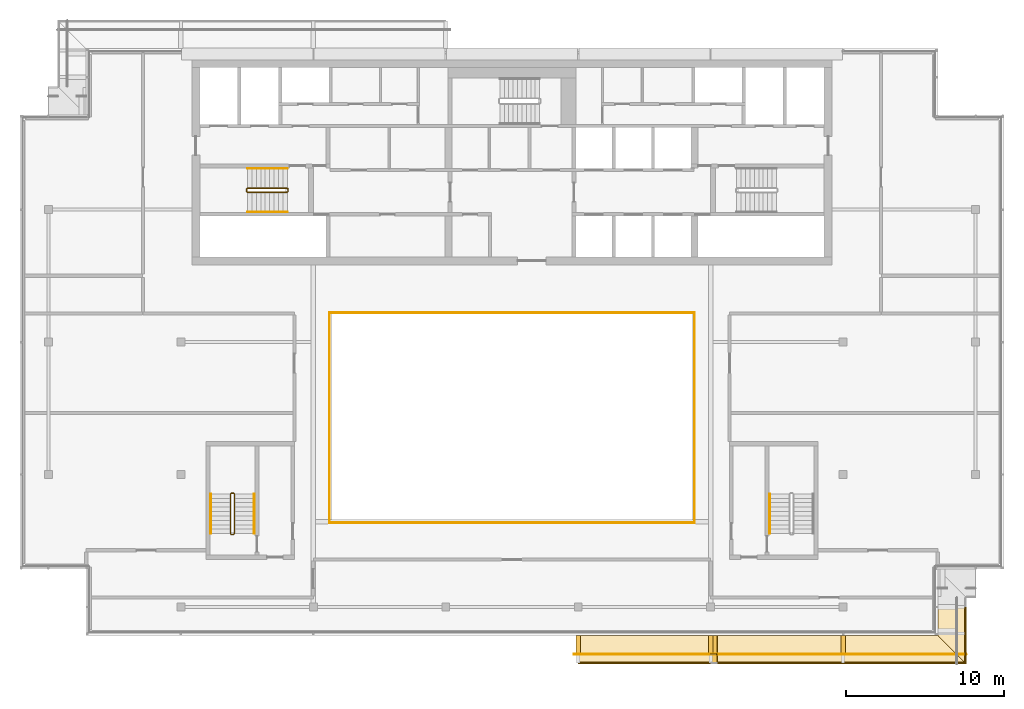
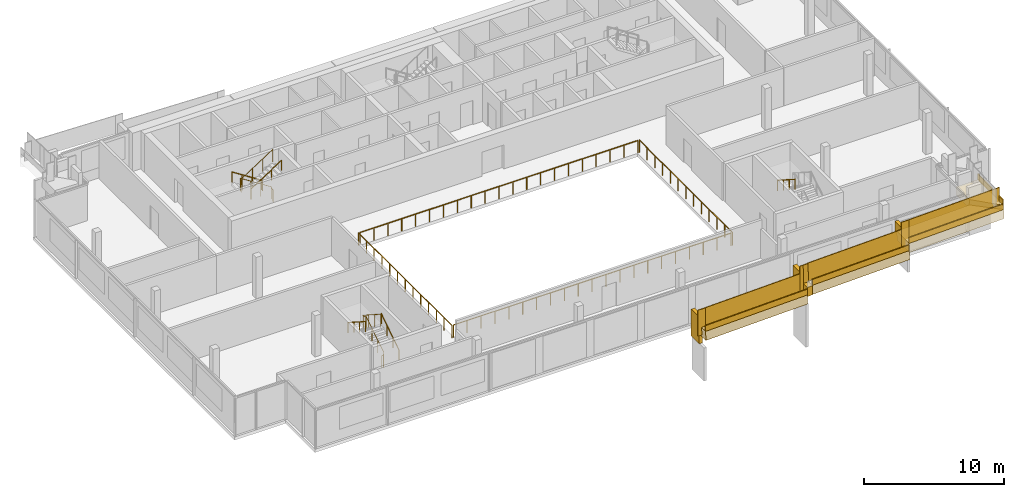
# One storey, part 17 of 21: 18 railings, 12 coverings.
"""IFC4 building model written with IfcOpenShell, lengths in metres."""

from ifc_helpers import new_model, si_unit, direction, frame, origin, origin_2d, place, context, subcontext, project, spatial, polyline, rectangle, circle, outline, extrude, material, layer, layer_set, type_object, element, save


model = new_model("IFC4")

# Units and contexts
model_context = context("Model", 3, precision=1e-05, world=origin(), true_north=direction((0.0, 1.0)))
body_context = subcontext(model_context, "Body", "Model", "MODEL_VIEW")
ifc_project = project(units=[si_unit("LENGTHUNIT", "METRE"), si_unit("AREAUNIT", "SQUARE_METRE"), si_unit("VOLUMEUNIT", "CUBIC_METRE"), si_unit("PLANEANGLEUNIT", "RADIAN"), si_unit("MASSUNIT", "GRAM", prefix="KILO")], contexts=[model_context])

# Site, building, storey
site_placement = place(None, origin())
site = spatial("IfcSite", under=ifc_project, at=site_placement, CompositionType="ELEMENT")
building_placement = place(site_placement, origin())
building = spatial("IfcBuilding", under=site, at=building_placement, Name="Saffron Gate Tower", CompositionType="ELEMENT")
storey_placement = place(building_placement, frame((0.0, 0.0, 299.550048828125)))
storey = spatial("IfcBuildingStorey", under=building, at=storey_placement, Name="L73", CompositionType="ELEMENT", Elevation=299.550048828125)

# Railings
ifc_material_1 = material(Name="Stainless steel and laminated glass", Category="steel")
railing_type_1 = type_object("IfcRailingType", Name="AG1 Atrium edge guard 1100", PredefinedType="GUARDRAIL", material=ifc_material_1)
railing_1_placement = place(storey_placement, frame((76.02001953125, 45.5400390625, 0.0)))
element("IfcRailing", 1, at=railing_1_placement, inside=storey, type_object=railing_type_1, Name="Guard E6-1", PredefinedType="GUARDRAIL", context=body_context, shape_type="SweptSolid", body=[
    extrude(circle(Radius=0.02392578125, at=origin_2d()), frame((0.0, 0.0, 1.076171875), z_axis=(0.0, 1.0, 0.0), x_axis=(-1.0, 0.0, 0.0)), (0.0, 0.0, 1.0), 13.320068359375),
    extrude(circle(Radius=0.02099609375, at=origin_2d()), origin(), (0.0, 0.0, 1.0), 1.052001953125),
    extrude(circle(Radius=0.02099609375, at=origin_2d()), frame((0.0, 1.110107421875, 0.0)), (0.0, 0.0, 1.0), 1.052001953125),
    extrude(circle(Radius=0.02099609375, at=origin_2d()), frame((0.0, 2.219970703125, 0.0)), (0.0, 0.0, 1.0), 1.052001953125),
    extrude(circle(Radius=0.02099609375, at=origin_2d()), frame((0.0, 3.330078125, 0.0)), (0.0, 0.0, 1.0), 1.052001953125),
    extrude(circle(Radius=0.02099609375, at=origin_2d()), frame((0.0, 4.43994140625, 0.0)), (0.0, 0.0, 1.0), 1.052001953125),
    extrude(circle(Radius=0.02099609375, at=origin_2d()), frame((0.0, 5.550048828125, 0.0)), (0.0, 0.0, 1.0), 1.052001953125),
    extrude(circle(Radius=0.02099609375, at=origin_2d()), frame((0.0, 6.66015625, 0.0)), (0.0, 0.0, 1.0), 1.052001953125),
    extrude(circle(Radius=0.02099609375, at=origin_2d()), frame((0.0, 7.77001953125, 0.0)), (0.0, 0.0, 1.0), 1.052001953125),
    extrude(circle(Radius=0.02099609375, at=origin_2d()), frame((0.0, 8.880126953125, 0.0)), (0.0, 0.0, 1.0), 1.052001953125),
    extrude(circle(Radius=0.02099609375, at=origin_2d()), frame((0.0, 9.989990234375, 0.0)), (0.0, 0.0, 1.0), 1.052001953125),
    extrude(circle(Radius=0.02099609375, at=origin_2d()), frame((0.0, 11.10009765625, 0.0)), (0.0, 0.0, 1.0), 1.052001953125),
    extrude(circle(Radius=0.02099609375, at=origin_2d()), frame((0.0, 12.2099609375, 0.0)), (0.0, 0.0, 1.0), 1.052001953125),
    extrude(circle(Radius=0.02099609375, at=origin_2d()), frame((0.0, 13.320068359375, 0.0)), (0.0, 0.0, 1.0), 1.052001953125),
])
railing_2_placement = place(storey_placement, frame((76.139892578125, 58.860107421875, 0.0)))
element("IfcRailing", 2, at=railing_2_placement, inside=storey, type_object=railing_type_1, Name="Guard E6-2", PredefinedType="GUARDRAIL", context=body_context, shape_type="SweptSolid", body=[
    extrude(circle(Radius=0.02392578125, at=origin_2d()), frame((0.0, 0.0, 1.076171875), z_axis=(1.0, 0.0, 0.0), x_axis=(0.0, 1.0, 0.0)), (0.0, 0.0, 1.0), 22.920166015625),
    extrude(circle(Radius=0.02099609375, at=origin_2d()), origin(), (0.0, 0.0, 1.0), 1.052001953125),
    extrude(circle(Radius=0.02099609375, at=origin_2d()), frame((1.14599609375, 0.0, 0.0)), (0.0, 0.0, 1.0), 1.052001953125),
    extrude(circle(Radius=0.02099609375, at=origin_2d()), frame((2.2919921875, 0.0, 0.0)), (0.0, 0.0, 1.0), 1.052001953125),
    extrude(circle(Radius=0.02099609375, at=origin_2d()), frame((3.43798828125, 0.0, 0.0)), (0.0, 0.0, 1.0), 1.052001953125),
    extrude(circle(Radius=0.02099609375, at=origin_2d()), frame((4.583984375, 0.0, 0.0)), (0.0, 0.0, 1.0), 1.052001953125),
    extrude(circle(Radius=0.02099609375, at=origin_2d()), frame((5.72998046875, 0.0, 0.0)), (0.0, 0.0, 1.0), 1.052001953125),
    extrude(circle(Radius=0.02099609375, at=origin_2d()), frame((6.8759765625, 0.0, 0.0)), (0.0, 0.0, 1.0), 1.052001953125),
    extrude(circle(Radius=0.02099609375, at=origin_2d()), frame((8.02197265625, 0.0, 0.0)), (0.0, 0.0, 1.0), 1.052001953125),
    extrude(circle(Radius=0.02099609375, at=origin_2d()), frame((9.16796875, 0.0, 0.0)), (0.0, 0.0, 1.0), 1.052001953125),
    extrude(circle(Radius=0.02099609375, at=origin_2d()), frame((10.31396484375, 0.0, 0.0)), (0.0, 0.0, 1.0), 1.052001953125),
    extrude(circle(Radius=0.02099609375, at=origin_2d()), frame((11.4599609375, 0.0, 0.0)), (0.0, 0.0, 1.0), 1.052001953125),
    extrude(circle(Radius=0.02099609375, at=origin_2d()), frame((12.606201171875, 0.0, 0.0)), (0.0, 0.0, 1.0), 1.052001953125),
    extrude(circle(Radius=0.02099609375, at=origin_2d()), frame((13.752197265625, 0.0, 0.0)), (0.0, 0.0, 1.0), 1.052001953125),
    extrude(circle(Radius=0.02099609375, at=origin_2d()), frame((14.898193359375, 0.0, 0.0)), (0.0, 0.0, 1.0), 1.052001953125),
    extrude(circle(Radius=0.02099609375, at=origin_2d()), frame((16.044189453125, 0.0, 0.0)), (0.0, 0.0, 1.0), 1.052001953125),
    extrude(circle(Radius=0.02099609375, at=origin_2d()), frame((17.190185546875, 0.0, 0.0)), (0.0, 0.0, 1.0), 1.052001953125),
    extrude(circle(Radius=0.02099609375, at=origin_2d()), frame((18.336181640625, 0.0, 0.0)), (0.0, 0.0, 1.0), 1.052001953125),
    extrude(circle(Radius=0.02099609375, at=origin_2d()), frame((19.482177734375, 0.0, 0.0)), (0.0, 0.0, 1.0), 1.052001953125),
    extrude(circle(Radius=0.02099609375, at=origin_2d()), frame((20.628173828125, 0.0, 0.0)), (0.0, 0.0, 1.0), 1.052001953125),
    extrude(circle(Radius=0.02099609375, at=origin_2d()), frame((21.774169921875, 0.0, 0.0)), (0.0, 0.0, 1.0), 1.052001953125),
    extrude(circle(Radius=0.02099609375, at=origin_2d()), frame((22.920166015625, 0.0, 0.0)), (0.0, 0.0, 1.0), 1.052001953125),
])
railing_3_placement = place(storey_placement, frame((99.179931640625, 58.860107421875, 0.0)))
element("IfcRailing", 3, at=railing_3_placement, inside=storey, type_object=railing_type_1, Name="Guard E6-3", PredefinedType="GUARDRAIL", context=body_context, shape_type="SweptSolid", body=[
    extrude(circle(Radius=0.02392578125, at=origin_2d()), frame((0.0, 0.0, 1.076171875), z_axis=(0.0, -1.0, 0.0), x_axis=(1.0, 0.0, 0.0)), (0.0, 0.0, 1.0), 13.320068359375),
    extrude(circle(Radius=0.02099609375, at=origin_2d()), origin(), (0.0, 0.0, 1.0), 1.052001953125),
    extrude(circle(Radius=0.02099609375, at=origin_2d()), frame((0.0, -1.110107421875, 0.0)), (0.0, 0.0, 1.0), 1.052001953125),
    extrude(circle(Radius=0.02099609375, at=origin_2d()), frame((0.0, -2.219970703125, 0.0)), (0.0, 0.0, 1.0), 1.052001953125),
    extrude(circle(Radius=0.02099609375, at=origin_2d()), frame((0.0, -3.330078125, 0.0)), (0.0, 0.0, 1.0), 1.052001953125),
    extrude(circle(Radius=0.02099609375, at=origin_2d()), frame((0.0, -4.43994140625, 0.0)), (0.0, 0.0, 1.0), 1.052001953125),
    extrude(circle(Radius=0.02099609375, at=origin_2d()), frame((0.0, -5.550048828125, 0.0)), (0.0, 0.0, 1.0), 1.052001953125),
    extrude(circle(Radius=0.02099609375, at=origin_2d()), frame((0.0, -6.66015625, 0.0)), (0.0, 0.0, 1.0), 1.052001953125),
    extrude(circle(Radius=0.02099609375, at=origin_2d()), frame((0.0, -7.77001953125, 0.0)), (0.0, 0.0, 1.0), 1.052001953125),
    extrude(circle(Radius=0.02099609375, at=origin_2d()), frame((0.0, -8.880126953125, 0.0)), (0.0, 0.0, 1.0), 1.052001953125),
    extrude(circle(Radius=0.02099609375, at=origin_2d()), frame((0.0, -9.989990234375, 0.0)), (0.0, 0.0, 1.0), 1.052001953125),
    extrude(circle(Radius=0.02099609375, at=origin_2d()), frame((0.0, -11.10009765625, 0.0)), (0.0, 0.0, 1.0), 1.052001953125),
    extrude(circle(Radius=0.02099609375, at=origin_2d()), frame((0.0, -12.2099609375, 0.0)), (0.0, 0.0, 1.0), 1.052001953125),
    extrude(circle(Radius=0.02099609375, at=origin_2d()), frame((0.0, -13.320068359375, 0.0)), (0.0, 0.0, 1.0), 1.052001953125),
])
railing_4_placement = place(storey_placement, frame((99.06005859375, 45.5400390625, 0.0)))
element("IfcRailing", 4, at=railing_4_placement, inside=storey, type_object=railing_type_1, Name="Guard E6-4", PredefinedType="GUARDRAIL", context=body_context, shape_type="SweptSolid", body=[
    extrude(circle(Radius=0.02392578125, at=origin_2d()), frame((0.0, 0.0, 1.076171875), z_axis=(-1.0, 0.0, 0.0), x_axis=(0.0, -1.0, 0.0)), (0.0, 0.0, 1.0), 22.920166015625),
    extrude(circle(Radius=0.02099609375, at=origin_2d()), origin(), (0.0, 0.0, 1.0), 1.052001953125),
    extrude(circle(Radius=0.02099609375, at=origin_2d()), frame((-1.14599609375, 0.0, 0.0)), (0.0, 0.0, 1.0), 1.052001953125),
    extrude(circle(Radius=0.02099609375, at=origin_2d()), frame((-2.2919921875, 0.0, 0.0)), (0.0, 0.0, 1.0), 1.052001953125),
    extrude(circle(Radius=0.02099609375, at=origin_2d()), frame((-3.43798828125, 0.0, 0.0)), (0.0, 0.0, 1.0), 1.052001953125),
    extrude(circle(Radius=0.02099609375, at=origin_2d()), frame((-4.583984375, 0.0, 0.0)), (0.0, 0.0, 1.0), 1.052001953125),
    extrude(circle(Radius=0.02099609375, at=origin_2d()), frame((-5.72998046875, 0.0, 0.0)), (0.0, 0.0, 1.0), 1.052001953125),
    extrude(circle(Radius=0.02099609375, at=origin_2d()), frame((-6.8759765625, 0.0, 0.0)), (0.0, 0.0, 1.0), 1.052001953125),
    extrude(circle(Radius=0.02099609375, at=origin_2d()), frame((-8.02197265625, 0.0, 0.0)), (0.0, 0.0, 1.0), 1.052001953125),
    extrude(circle(Radius=0.02099609375, at=origin_2d()), frame((-9.16796875, 0.0, 0.0)), (0.0, 0.0, 1.0), 1.052001953125),
    extrude(circle(Radius=0.02099609375, at=origin_2d()), frame((-10.31396484375, 0.0, 0.0)), (0.0, 0.0, 1.0), 1.052001953125),
    extrude(circle(Radius=0.02099609375, at=origin_2d()), frame((-11.4599609375, 0.0, 0.0)), (0.0, 0.0, 1.0), 1.052001953125),
    extrude(circle(Radius=0.02099609375, at=origin_2d()), frame((-12.606201171875, 0.0, 0.0)), (0.0, 0.0, 1.0), 1.052001953125),
    extrude(circle(Radius=0.02099609375, at=origin_2d()), frame((-13.752197265625, 0.0, 0.0)), (0.0, 0.0, 1.0), 1.052001953125),
    extrude(circle(Radius=0.02099609375, at=origin_2d()), frame((-14.898193359375, 0.0, 0.0)), (0.0, 0.0, 1.0), 1.052001953125),
    extrude(circle(Radius=0.02099609375, at=origin_2d()), frame((-16.044189453125, 0.0, 0.0)), (0.0, 0.0, 1.0), 1.052001953125),
    extrude(circle(Radius=0.02099609375, at=origin_2d()), frame((-17.190185546875, 0.0, 0.0)), (0.0, 0.0, 1.0), 1.052001953125),
    extrude(circle(Radius=0.02099609375, at=origin_2d()), frame((-18.336181640625, 0.0, 0.0)), (0.0, 0.0, 1.0), 1.052001953125),
    extrude(circle(Radius=0.02099609375, at=origin_2d()), frame((-19.482177734375, 0.0, 0.0)), (0.0, 0.0, 1.0), 1.052001953125),
    extrude(circle(Radius=0.02099609375, at=origin_2d()), frame((-20.628173828125, 0.0, 0.0)), (0.0, 0.0, 1.0), 1.052001953125),
    extrude(circle(Radius=0.02099609375, at=origin_2d()), frame((-21.774169921875, 0.0, 0.0)), (0.0, 0.0, 1.0), 1.052001953125),
    extrude(circle(Radius=0.02099609375, at=origin_2d()), frame((-22.920166015625, 0.0, 0.0)), (0.0, 0.0, 1.0), 1.052001953125),
])
railing_type_2 = type_object("IfcRailingType", Name="CR1 Stair guard 1100", PredefinedType="GUARDRAIL", material=ifc_material_1)
railing_5_placement = place(storey_placement, frame((73.39990234375, 66.550048828125, 0.0)))
element("IfcRailing", 5, at=railing_5_placement, inside=storey, type_object=railing_type_2, Name="L73 ST-A stair guard 1", PredefinedType="GUARDRAIL", context=body_context, shape_type="SweptSolid", body=[
    extrude(circle(Radius=0.02392578125, at=origin_2d()), frame((0.0, 0.0, 1.076171875), z_axis=(0.0, 1.0, 0.0), x_axis=(-1.0, 0.0, 0.0)), (0.0, 0.0, 1.0), 0.14990234375),
    extrude(circle(Radius=0.02392578125, at=origin_2d()), frame((0.0, 0.14990234375, 1.076171875), z_axis=(-0.257669022063, 0.258932105505, 0.930892496375), x_axis=(-0.708833529934, -0.705375805398, 0.0)), (0.0, 0.0, 1.0), 0.193359375),
    extrude(circle(Radius=0.02392578125, at=origin_2d()), frame((-0.0498046875, 0.199951171875, 1.255859375), z_axis=(-0.841162588446, 0.0, 0.540782303519), x_axis=(0.0, -1.0, 0.0)), (0.0, 0.0, 1.0), 2.995849609375),
    extrude(circle(Radius=0.02392578125, at=origin_2d()), frame((-2.56982421875, 0.199951171875, 2.8759765625), z_axis=(-0.707106781187, -0.707106781187, 0.0), x_axis=(0.707106781187, -0.707106781187, 0.0)), (0.0, 0.0, 1.0), 0.07080078125),
    extrude(circle(Radius=0.02392578125, at=origin_2d()), frame((-2.619873046875, 0.14990234375, 2.8759765625), z_axis=(0.0, -1.0, 0.0), x_axis=(1.0, 0.0, 0.0)), (0.0, 0.0, 1.0), 0.14990234375),
    extrude(circle(Radius=0.02392578125, at=origin_2d()), frame((-2.619873046875, 0.0, 2.8759765625), z_axis=(0.258847668887, -0.258847668887, 0.930588936439), x_axis=(0.707106781187, 0.707106781187, 0.0)), (0.0, 0.0, 1.0), 0.193359375),
    extrude(circle(Radius=0.02392578125, at=origin_2d()), frame((-2.56982421875, -0.050048828125, 3.05615234375), z_axis=(0.841199657755, 0.0, 0.540724639528), x_axis=(0.0, 1.0, 0.0)), (0.0, 0.0, 1.0), 2.995849609375),
    extrude(circle(Radius=0.02099609375, at=origin_2d()), origin(), (0.0, 0.0, 1.0), 1.052001953125),
    extrude(circle(Radius=0.02099609375, at=origin_2d()), frame((0.0, 0.14990234375, 0.0)), (0.0, 0.0, 1.0), 1.052001953125),
    extrude(circle(Radius=0.02099609375, at=origin_2d()), frame((-0.0498046875, 0.199951171875, 0.179931640625)), (0.0, 0.0, 1.0), 1.052001953125),
    extrude(circle(Radius=0.02099609375, at=origin_2d()), frame((-0.889892578125, 0.199951171875, 0.719970703125)), (0.0, 0.0, 1.0), 1.052001953125),
    extrude(circle(Radius=0.02099609375, at=origin_2d()), frame((-1.729736328125, 0.199951171875, 1.260009765625)), (0.0, 0.0, 1.0), 1.052001953125),
    extrude(circle(Radius=0.02099609375, at=origin_2d()), frame((-2.56982421875, 0.199951171875, 1.800048828125)), (0.0, 0.0, 1.0), 1.052001953125),
    extrude(circle(Radius=0.02099609375, at=origin_2d()), frame((-2.619873046875, 0.14990234375, 1.800048828125)), (0.0, 0.0, 1.0), 1.052001953125),
    extrude(circle(Radius=0.02099609375, at=origin_2d()), frame((-2.619873046875, 0.0, 1.800048828125)), (0.0, 0.0, 1.0), 1.052001953125),
    extrude(circle(Radius=0.02099609375, at=origin_2d()), frame((-2.56982421875, -0.050048828125, 1.97998046875)), (0.0, 0.0, 1.0), 1.052001953125),
    extrude(circle(Radius=0.02099609375, at=origin_2d()), frame((-1.729736328125, -0.050048828125, 2.52001953125)), (0.0, 0.0, 1.0), 1.052001953125),
    extrude(circle(Radius=0.02099609375, at=origin_2d()), frame((-0.889892578125, -0.050048828125, 3.059814453125)), (0.0, 0.0, 1.0), 1.052001953125),
    extrude(circle(Radius=0.02099609375, at=origin_2d()), frame((-0.0498046875, -0.050048828125, 3.599853515625)), (0.0, 0.0, 1.0), 1.052001953125),
])
railing_6_placement = place(storey_placement, frame((69.800048828125, 44.800048828125, 0.0)))
element("IfcRailing", 6, at=railing_6_placement, inside=storey, type_object=railing_type_2, Name="L73 ST-D stair guard 1", PredefinedType="GUARDRAIL", context=body_context, shape_type="SweptSolid", body=[
    extrude(circle(Radius=0.02392578125, at=origin_2d()), frame((0.0, 0.0, 1.076171875), z_axis=(1.0, 0.0, 0.0), x_axis=(0.0, 1.0, 0.0)), (0.0, 0.0, 1.0), 0.14990234375),
    extrude(circle(Radius=0.02392578125, at=origin_2d()), frame((0.14990234375, 0.0, 1.076171875), z_axis=(0.258847668887, 0.258847668887, 0.930588936439), x_axis=(-0.707106781187, 0.707106781187, 0.0)), (0.0, 0.0, 1.0), 0.193359375),
    extrude(circle(Radius=0.02392578125, at=origin_2d()), frame((0.199951171875, 0.050048828125, 1.255859375), z_axis=(0.0, 0.841162588446, 0.540782303519), x_axis=(-1.0, 0.0, 0.0)), (0.0, 0.0, 1.0), 2.995849609375),
    extrude(circle(Radius=0.02392578125, at=origin_2d()), frame((0.199951171875, 2.570068359375, 2.8759765625), z_axis=(-0.708833529934, 0.705375805398, 0.0), x_axis=(-0.705375805398, -0.708833529934, 0.0)), (0.0, 0.0, 1.0), 0.070556640625),
    extrude(circle(Radius=0.02392578125, at=origin_2d()), frame((0.14990234375, 2.619873046875, 2.8759765625), z_axis=(-1.0, 0.0, 0.0), x_axis=(0.0, -1.0, 0.0)), (0.0, 0.0, 1.0), 0.14990234375),
    extrude(circle(Radius=0.02392578125, at=origin_2d()), frame((0.0, 2.619873046875, 2.8759765625), z_axis=(-0.258932105505, -0.257669022063, 0.930892496375), x_axis=(0.705375805398, -0.708833529934, 0.0)), (0.0, 0.0, 1.0), 0.193359375),
    extrude(circle(Radius=0.02392578125, at=origin_2d()), frame((-0.050048828125, 2.570068359375, 3.05615234375), z_axis=(0.0, -0.841199657755, 0.540724639528), x_axis=(1.0, 0.0, 0.0)), (0.0, 0.0, 1.0), 2.995849609375),
    extrude(circle(Radius=0.02099609375, at=origin_2d()), origin(), (0.0, 0.0, 1.0), 1.052001953125),
    extrude(circle(Radius=0.02099609375, at=origin_2d()), frame((0.14990234375, 0.0, 0.0)), (0.0, 0.0, 1.0), 1.052001953125),
    extrude(circle(Radius=0.02099609375, at=origin_2d()), frame((0.199951171875, 0.050048828125, 0.179931640625)), (0.0, 0.0, 1.0), 1.052001953125),
    extrude(circle(Radius=0.02099609375, at=origin_2d()), frame((0.199951171875, 0.89013671875, 0.719970703125)), (0.0, 0.0, 1.0), 1.052001953125),
    extrude(circle(Radius=0.02099609375, at=origin_2d()), frame((0.199951171875, 1.72998046875, 1.260009765625)), (0.0, 0.0, 1.0), 1.052001953125),
    extrude(circle(Radius=0.02099609375, at=origin_2d()), frame((0.199951171875, 2.570068359375, 1.800048828125)), (0.0, 0.0, 1.0), 1.052001953125),
    extrude(circle(Radius=0.02099609375, at=origin_2d()), frame((0.14990234375, 2.619873046875, 1.800048828125)), (0.0, 0.0, 1.0), 1.052001953125),
    extrude(circle(Radius=0.02099609375, at=origin_2d()), frame((0.0, 2.619873046875, 1.800048828125)), (0.0, 0.0, 1.0), 1.052001953125),
    extrude(circle(Radius=0.02099609375, at=origin_2d()), frame((-0.050048828125, 2.570068359375, 1.97998046875)), (0.0, 0.0, 1.0), 1.052001953125),
    extrude(circle(Radius=0.02099609375, at=origin_2d()), frame((-0.050048828125, 1.72998046875, 2.52001953125)), (0.0, 0.0, 1.0), 1.052001953125),
    extrude(circle(Radius=0.02099609375, at=origin_2d()), frame((-0.050048828125, 0.89013671875, 3.059814453125)), (0.0, 0.0, 1.0), 1.052001953125),
    extrude(circle(Radius=0.02099609375, at=origin_2d()), frame((-0.050048828125, 0.050048828125, 3.599853515625)), (0.0, 0.0, 1.0), 1.052001953125),
])
ifc_material_2 = material(Name="Stainless steel", Category="steel")
railing_type_3 = type_object("IfcRailingType", Name="CR2 Stair handrail 900", PredefinedType="HANDRAIL", material=ifc_material_2)
railing_7_placement = place(storey_placement, frame((73.35009765625, 68.0, 0.179931640625)))
element("IfcRailing", 7, at=railing_7_placement, inside=storey, type_object=railing_type_3, Name="L73 ST-A stair handrail 1", PredefinedType="HANDRAIL", context=body_context, shape_type="SweptSolid", body=[
    extrude(circle(Radius=0.02392578125, at=origin_2d()), frame((0.0, 0.0, 0.8759765625), z_axis=(-0.841162588446, 0.0, 0.540782303519), x_axis=(0.0, -1.0, 0.0)), (0.0, 0.0, 1.0), 2.995849609375),
    extrude(circle(Radius=0.02099609375, at=origin_2d()), origin(), (0.0, 0.0, 1.0), 0.851806640625),
    extrude(circle(Radius=0.02099609375, at=origin_2d()), frame((-0.840087890625, 0.0, 0.5400390625)), (0.0, 0.0, 1.0), 0.851806640625),
    extrude(circle(Radius=0.02099609375, at=origin_2d()), frame((-1.679931640625, 0.0, 1.080078125)), (0.0, 0.0, 1.0), 0.851806640625),
    extrude(circle(Radius=0.02099609375, at=origin_2d()), frame((-2.52001953125, 0.0, 1.6201171875)), (0.0, 0.0, 1.0), 0.851806640625),
])
railing_8_placement = place(storey_placement, frame((70.830078125, 65.25, 1.97998046875)))
element("IfcRailing", 8, at=railing_8_placement, inside=storey, type_object=railing_type_3, Name="L73 ST-A stair handrail 2", PredefinedType="HANDRAIL", context=body_context, shape_type="SweptSolid", body=[
    extrude(circle(Radius=0.02392578125, at=origin_2d()), frame((0.0, 0.0, 0.8759765625), z_axis=(0.841199657755, 0.0, 0.540724639528), x_axis=(0.0, 1.0, 0.0)), (0.0, 0.0, 1.0), 2.995849609375),
    extrude(circle(Radius=0.02099609375, at=origin_2d()), origin(), (0.0, 0.0, 1.0), 0.851806640625),
    extrude(circle(Radius=0.02099609375, at=origin_2d()), frame((0.840087890625, 0.0, 0.5400390625)), (0.0, 0.0, 1.0), 0.851806640625),
    extrude(circle(Radius=0.02099609375, at=origin_2d()), frame((1.679931640625, 0.0, 1.079833984375)), (0.0, 0.0, 1.0), 0.851806640625),
    extrude(circle(Radius=0.02099609375, at=origin_2d()), frame((2.52001953125, 0.0, 1.619873046875)), (0.0, 0.0, 1.0), 0.851806640625),
])
railing_9_placement = place(storey_placement, frame((71.25, 44.85009765625, 0.179931640625)))
element("IfcRailing", 9, at=railing_9_placement, inside=storey, type_object=railing_type_3, Name="L73 ST-D stair handrail 1", PredefinedType="HANDRAIL", context=body_context, shape_type="SweptSolid", body=[
    extrude(circle(Radius=0.02392578125, at=origin_2d()), frame((0.0, 0.0, 0.8759765625), z_axis=(0.0, 0.841162588446, 0.540782303519), x_axis=(-1.0, 0.0, 0.0)), (0.0, 0.0, 1.0), 2.995849609375),
    extrude(circle(Radius=0.02099609375, at=origin_2d()), origin(), (0.0, 0.0, 1.0), 0.851806640625),
    extrude(circle(Radius=0.02099609375, at=origin_2d()), frame((0.0, 0.840087890625, 0.5400390625)), (0.0, 0.0, 1.0), 0.851806640625),
    extrude(circle(Radius=0.02099609375, at=origin_2d()), frame((0.0, 1.679931640625, 1.080078125)), (0.0, 0.0, 1.0), 0.851806640625),
    extrude(circle(Radius=0.02099609375, at=origin_2d()), frame((0.0, 2.52001953125, 1.6201171875)), (0.0, 0.0, 1.0), 0.851806640625),
])
for number, where, name in (
    (10, (68.5, 47.3701171875, 1.97998046875), "L73 ST-D stair handrail 2"),
    (11, (103.949951171875, 47.3701171875, 1.97998046875), "L73 ST-E stair handrail 2"),
):
    element("IfcRailing", number, at=place(storey_placement, frame(where)), inside=storey, type_object=railing_type_3, Name=name, PredefinedType="HANDRAIL", context=body_context, shape_type="SweptSolid", body=[
        extrude(circle(Radius=0.02392578125, at=origin_2d()), frame((0.0, 0.0, 0.8759765625), z_axis=(0.0, -0.841199657755, 0.540724639528), x_axis=(1.0, 0.0, 0.0)), (0.0, 0.0, 1.0), 2.995849609375),
        extrude(circle(Radius=0.02099609375, at=origin_2d()), origin(), (0.0, 0.0, 1.0), 0.851806640625),
        extrude(circle(Radius=0.02099609375, at=origin_2d()), frame((0.0, -0.840087890625, 0.5400390625)), (0.0, 0.0, 1.0), 0.851806640625),
        extrude(circle(Radius=0.02099609375, at=origin_2d()), frame((0.0, -1.679931640625, 1.079833984375)), (0.0, 0.0, 1.0), 0.851806640625),
        extrude(circle(Radius=0.02099609375, at=origin_2d()), frame((0.0, -2.52001953125, 1.619873046875)), (0.0, 0.0, 1.0), 0.851806640625),
    ])

# Coverings
ifc_material_3 = material(Name="Timber, thermally modified ash", Category="wood")
ifc_layer_1 = layer(ifc_material_3, 0.800048828125)
ifc_layer_set_1 = layer_set([ifc_layer_1], Name="LD1 ledge timber")
covering_type_1 = type_object("IfcCoveringType", Name="LD1 ledge timber", PredefinedType="CLADDING", material=ifc_layer_set_1)
covering_1_placement = place(storey_placement, frame((91.800048828125, 38.39990234375, 0.45849609375), z_axis=(-0.028791175352, 0.0, 0.999585448184), x_axis=(0.999585448184, 0.0, 0.028791175352)))
element("IfcCovering", 12, at=covering_1_placement, inside=storey, type_object=covering_type_1, Name="LEDGE", PredefinedType="CLADDING", context=body_context, shape_type="SweptSolid", body=[
    extrude(outline(polyline([(0.0, 0.0), (8.403385982666892, 0.0), (8.403385982666892, -1.7998046875), (0.0, -1.7998046875), (0.0, 0.0)])), origin(), (0.0, 0.0, -1.0), 0.800048828125),
])
covering_2_placement = place(storey_placement, frame((100.199951171875, 38.39990234375, 1.35498046875), z_axis=(-0.028664238881, 0.0, 0.999589096284), x_axis=(0.999589096284, 0.0, 0.028664238881)))
element("IfcCovering", 13, at=covering_2_placement, inside=storey, type_object=covering_type_1, Name="LEDGE", PredefinedType="CLADDING", context=body_context, shape_type="SweptSolid", body=[
    extrude(outline(polyline([(0.0, 0.0), (0.40031097364171886, 0.0), (0.40031097364171886, -1.7998046875), (0.0, -1.7998046875), (0.0, 0.0)])), origin(), (0.0, 0.0, -1.0), 0.800048828125),
])
covering_3_placement = place(storey_placement, frame((100.60009765625, 38.39990234375, 1.397705078125), z_axis=(-0.028796646555, 0.0, 0.999585290582), x_axis=(0.999585290582, 0.0, 0.028796646555)))
element("IfcCovering", 14, at=covering_3_placement, inside=storey, type_object=covering_type_1, Name="LEDGE", PredefinedType="CLADDING", context=body_context, shape_type="SweptSolid", body=[
    extrude(outline(polyline([(0.0, 0.0), (8.003319051788862, 0.0), (8.003319051788862, -1.7998046875), (0.0, -1.7998046875), (0.0, 0.0)])), origin(), (0.0, 0.0, -1.0), 0.800048828125),
])
covering_4_placement = place(storey_placement, frame((108.60009765625, 38.39990234375, 2.25146484375), z_axis=(-0.028789985935, -2.2222876e-05, 0.999585482195), x_axis=(0.999585482442, 1.48e-10, 0.028789985943)))
element("IfcCovering", 15, at=covering_4_placement, inside=storey, type_object=covering_type_1, Name="LEDGE", PredefinedType="CLADDING", context=body_context, shape_type="SweptSolid", body=[
    extrude(outline(polyline([(0.0, 0.0), (6.002489288708389, 0.0), (7.803038031992788, -1.799804689099891), (-2.6651392631661263e-10, -1.7998046870555775), (0.0, 0.0)])), origin(), (0.0, 0.0, -1.0), 0.800048828125),
])
covering_5_placement = place(storey_placement, frame((114.60009765625, 38.39990234375, 2.8916015625), z_axis=(-4.3893604e-05, -0.028833291474, 0.999584233257), x_axis=(1.926e-09, 0.99958423422, 0.028833291502)))
element("IfcCovering", 16, at=covering_5_placement, inside=storey, type_object=covering_type_1, Name="LEDGE", PredefinedType="CLADDING", context=body_context, shape_type="SweptSolid", body=[
    extrude(outline(polyline([(0.0, 0.0), (1.8007998168930421, 4.235164736271502e-22), (1.8007998203587168, -1.7998046857662044), (-1.8005487349298768, -1.799804696168494), (0.0, 0.0)])), origin(), (0.0, 0.0, -1.0), 0.800048828125),
])
ifc_layer_2 = layer(ifc_material_3, 0.080078125)
ifc_layer_set_2 = layer_set([ifc_layer_2], Name="LD2 ledge planter trough")
covering_type_2 = type_object("IfcCoveringType", Name="LD2 ledge planter trough", PredefinedType="CLADDING", material=ifc_layer_set_2)
covering_6_placement = place(storey_placement, frame((91.800048828125, 36.60009765625, 0.45849609375), z_axis=(0.0, -1.0, 0.0), x_axis=(0.999585448184, 0.0, 0.028791175352)))
element("IfcCovering", 17, at=covering_6_placement, inside=storey, type_object=covering_type_2, Name="LEDGE planter trough", PredefinedType="CLADDING", context=body_context, shape_type="SweptSolid", body=[
    extrude(outline(polyline([(0.0, 0.0), (8.403385982666892, 0.0), (8.417781570342743, 0.49979272409216496), (0.014395587675851172, 0.4997927240921649), (0.0, 0.0)])), origin(), (0.0, 0.0, -1.0), 0.080078125),
])
covering_7_placement = place(storey_placement, frame((100.60009765625, 36.60009765625, 1.397705078125), z_axis=(0.0, -1.0, 0.0), x_axis=(0.999585290582, 0.0, 0.028796646555)))
element("IfcCovering", 18, at=covering_7_placement, inside=storey, type_object=covering_type_2, Name="LEDGE planter trough", PredefinedType="CLADDING", context=body_context, shape_type="SweptSolid", body=[
    extrude(outline(polyline([(0.0, 0.0), (8.003319051788862, 0.0), (8.017717375066283, 0.4997926452908234), (0.014398323277421184, 0.49979264529082346), (0.0, 0.0)])), origin(), (0.0, 0.0, -1.0), 0.080078125),
])
covering_8_placement = place(storey_placement, frame((108.60009765625, 36.60009765625, 2.25146484375), z_axis=(0.0, -1.0, 0.0), x_axis=(0.999585630001, 0.0, 0.028784862264)))
element("IfcCovering", 19, at=covering_8_placement, inside=storey, type_object=covering_type_2, Name="LEDGE planter trough", PredefinedType="CLADDING", context=body_context, shape_type="SweptSolid", body=[
    extrude(outline(polyline([(0.0, 0.0), (7.80303803236181, 2.7755575615628914e-17), (7.817430463493663, 0.4997928150004909), (0.014392431131853373, 0.49979281500049083), (0.0, 0.0)])), origin(), (0.0, 0.0, -1.0), 0.080078125),
])
covering_9_placement = place(storey_placement, frame((116.39990234375, 36.60009765625, 2.83984375), z_axis=(1.0, 0.0, 0.0), x_axis=(0.0, 0.999584866472, 0.028811364412)))
element("IfcCovering", 20, at=covering_9_placement, inside=storey, type_object=covering_type_2, Name="LEDGE planter trough", PredefinedType="CLADDING", context=body_context, shape_type="SweptSolid", body=[
    extrude(outline(polyline([(0.0, 0.0), (3.601348556155073, 0.0), (3.6157542383609322, 0.49979243323622236), (0.01440568220585924, 0.49979243323622236), (0.0, 0.0)])), origin(), (0.0, 0.0, -1.0), 0.080078125),
])
ifc_layer_3 = layer(ifc_material_3, 0.300048828125)
ifc_layer_set_3 = layer_set([ifc_layer_3], Name="LD3 ledge riser fin")
covering_type_3 = type_object("IfcCoveringType", Name="LD3 ledge riser fin", PredefinedType="CLADDING", material=ifc_layer_set_3)
for number, where, z_axis, x_axis, name in (
    (21, (91.800048828125, 37.840087890625, -0.995849609375), (0.0, 0.0, 1.0), (1.0, 0.0, 0.0), "LEDGE riser fin"),
    (22, (100.199951171875, 37.840087890625, -0.099609375), (0.0, 0.0, 1.0), (1.0, 0.0, 0.0), "LEDGE riser fin"),
):
    element("IfcCovering", number, at=place(storey_placement, frame(where, z_axis=z_axis, x_axis=x_axis)), inside=storey, type_object=covering_type_3, Name=name, PredefinedType="CLADDING", context=body_context, shape_type="SweptSolid", body=[
        extrude(rectangle(XDim=0.300048828125, YDim=1.1201171875, at=origin_2d()), origin(), (0.0, 0.0, 1.0), 2.3544921875),
    ])
covering_10_placement = place(storey_placement, frame((108.60009765625, 37.840087890625, 0.828125), z_axis=(0.0, 0.0, 1.0), x_axis=(1.0, 0.0, 0.0)))
element("IfcCovering", 23, at=covering_10_placement, inside=storey, type_object=covering_type_3, Name="LEDGE riser fin", PredefinedType="CLADDING", context=body_context, shape_type="SweptSolid", body=[
    extrude(rectangle(XDim=0.300048828125, YDim=1.1201171875, at=origin_2d()), origin(), (0.0, 0.0, 1.0), 2.3232421875),
])

# Railings
railing_type_4 = type_object("IfcRailingType", Name="LG1 ledge balustrade", PredefinedType="BALUSTRADE", material=ifc_material_3)
railing_10_placement = place(storey_placement, frame((91.800048828125, 37.199951171875, 0.45849609375)))
element("IfcRailing", 24, at=railing_10_placement, inside=storey, type_object=railing_type_4, Name="LEDGE BALUSTRADE", PredefinedType="BALUSTRADE", context=body_context, shape_type="SweptSolid", body=[
    extrude(rectangle(XDim=0.06005859375, YDim=1.60009765625, at=origin_2d()), frame((0.0, 0.0, 0.800048828125), z_axis=(0.999585448184, 0.0, 0.028791175352), x_axis=(0.0, 1.0, 0.0)), (0.0, 0.0, 1.0), 8.4033203125),
])
railing_11_placement = place(storey_placement, frame((91.5, 37.199951171875, -0.19580078125)))
element("IfcRailing", 25, at=railing_11_placement, inside=storey, type_object=railing_type_4, Name="LEDGE BALUSTRADE", PredefinedType="BALUSTRADE", context=body_context, shape_type="SweptSolid", body=[
    extrude(rectangle(XDim=0.06005859375, YDim=2.25439453125, at=origin_2d()), frame((0.0, 0.0, 1.127197265625), z_axis=(1.0, 0.0, 0.0), x_axis=(0.0, 1.0, 0.0)), (0.0, 0.0, 1.0), 0.60009765625),
])
railing_12_placement = place(storey_placement, frame((100.199951171875, 37.199951171875, 1.35498046875)))
element("IfcRailing", 26, at=railing_12_placement, inside=storey, type_object=railing_type_4, Name="LEDGE BALUSTRADE", PredefinedType="BALUSTRADE", context=body_context, shape_type="SweptSolid", body=[
    extrude(rectangle(XDim=0.06005859375, YDim=1.60009765625, at=origin_2d()), frame((0.0, 0.0, 0.800048828125), z_axis=(0.999589096284, 0.0, 0.028664238881), x_axis=(0.0, 1.0, 0.0)), (0.0, 0.0, 1.0), 0.400390625),
])
railing_13_placement = place(storey_placement, frame((99.89990234375, 37.199951171875, 0.700439453125)))
element("IfcRailing", 27, at=railing_13_placement, inside=storey, type_object=railing_type_4, Name="LEDGE BALUSTRADE", PredefinedType="BALUSTRADE", context=body_context, shape_type="SweptSolid", body=[
    extrude(rectangle(XDim=0.06005859375, YDim=2.25439453125, at=origin_2d()), frame((0.0, 0.0, 1.127197265625), z_axis=(1.0, 0.0, 0.0), x_axis=(0.0, 1.0, 0.0)), (0.0, 0.0, 1.0), 0.60009765625),
])
railing_14_placement = place(storey_placement, frame((100.60009765625, 37.199951171875, 1.397705078125)))
element("IfcRailing", 28, at=railing_14_placement, inside=storey, type_object=railing_type_4, Name="LEDGE BALUSTRADE", PredefinedType="BALUSTRADE", context=body_context, shape_type="SweptSolid", body=[
    extrude(rectangle(XDim=0.06005859375, YDim=1.60009765625, at=origin_2d()), frame((0.0, 0.0, 0.800048828125), z_axis=(0.999585290582, 0.0, 0.028796646555), x_axis=(0.0, 1.0, 0.0)), (0.0, 0.0, 1.0), 8.00341796875),
])
railing_15_placement = place(storey_placement, frame((108.60009765625, 37.199951171875, 2.25146484375)))
element("IfcRailing", 29, at=railing_15_placement, inside=storey, type_object=railing_type_4, Name="LEDGE BALUSTRADE", PredefinedType="BALUSTRADE", context=body_context, shape_type="SweptSolid", body=[
    extrude(rectangle(XDim=0.06005859375, YDim=1.60009765625, at=origin_2d()), frame((0.0, 0.0, 0.800048828125), z_axis=(0.999585630001, 0.0, 0.028784862264), x_axis=(0.0, 1.0, 0.0)), (0.0, 0.0, 1.0), 7.802978515625),
])
railing_16_placement = place(storey_placement, frame((108.300048828125, 37.199951171875, 1.628173828125)))
element("IfcRailing", 30, at=railing_16_placement, inside=storey, type_object=railing_type_4, Name="LEDGE BALUSTRADE", PredefinedType="BALUSTRADE", context=body_context, shape_type="SweptSolid", body=[
    extrude(rectangle(XDim=0.06005859375, YDim=2.223388671875, at=origin_2d()), frame((0.0, 0.0, 1.11181640625), z_axis=(1.0, 0.0, 0.0), x_axis=(0.0, 1.0, 0.0)), (0.0, 0.0, 1.0), 0.599853515625),
])

save(model, "model.ifc")
